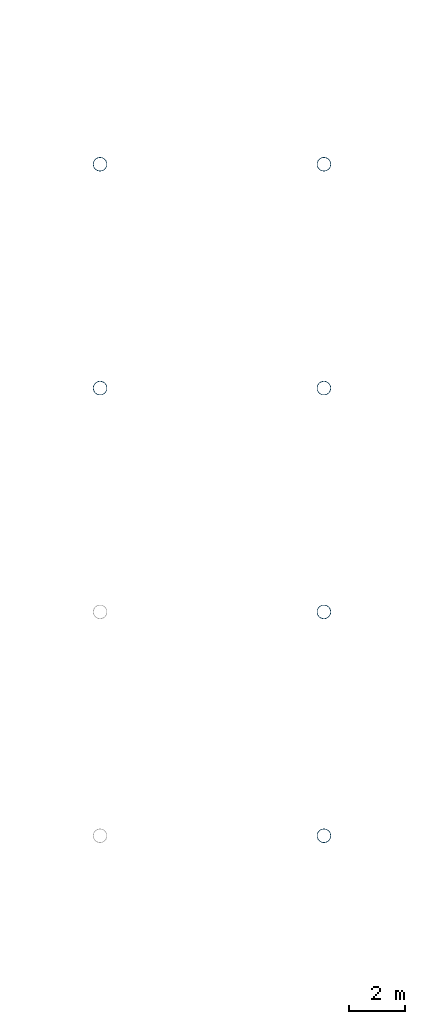
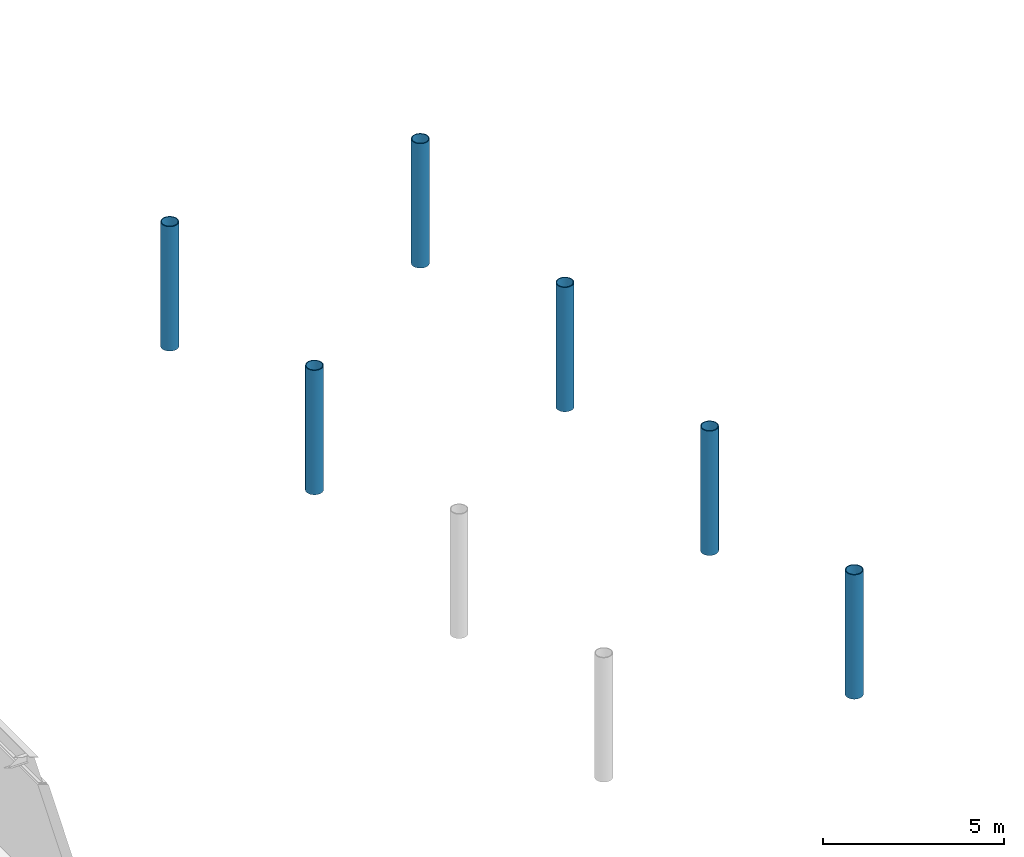
# One storey, part 2 of 41: 6 columns.
"""IFC4 building model written with IfcOpenShell, lengths in metres."""

from ifc_helpers import new_model, si_unit, direction, frame, origin, origin_2d, place, context, subcontext, project, spatial, hollow_circle, extrude, material, material_profile, profile_set, type_object, element, save


model = new_model("IFC4")

# Units and contexts
model_context = context("Model", 3, precision=1e-05, world=origin(), true_north=direction((0.0, 1.0)))
body_context = subcontext(model_context, "Body", "Model", "MODEL_VIEW")
ifc_project = project(units=[si_unit("LENGTHUNIT", "METRE"), si_unit("AREAUNIT", "SQUARE_METRE"), si_unit("VOLUMEUNIT", "CUBIC_METRE"), si_unit("PLANEANGLEUNIT", "RADIAN"), si_unit("MASSUNIT", "GRAM", prefix="KILO")], contexts=[model_context])

# Site, building, storey
site_placement = place(None, origin())
site = spatial("IfcSite", under=ifc_project, at=site_placement, CompositionType="ELEMENT")
building_placement = place(site_placement, origin())
building = spatial("IfcBuilding", under=site, at=building_placement, Name="Haebicheon Civic Stadium", CompositionType="ELEMENT")
storey_placement = place(building_placement, frame((0.0, 0.0, 27.0)))
storey = spatial("IfcBuildingStorey", under=building, at=storey_placement, Name="L07", CompositionType="ELEMENT", Elevation=27.0)

# Columns
ifc_material = material(Name="White painted steel SM490", Category="steel")
ifc_material_profile = material_profile(ifc_material, hollow_circle(Radius=0.25390625, WallThickness=0.02490234375, at=origin_2d()), Name="CHS-508.0x25.0")
ifc_profile_set = profile_set([ifc_material_profile], Name="White painted steel SM490")
column_type = type_object("IfcColumnType", Name="COL-ST-CHS508", PredefinedType="COLUMN", material=ifc_profile_set)
for number, where, z_axis, x_axis, name in (
    (1, (72.0, 48.0, 0.0), (0.0, 0.0, 1.0), (1.0, 0.0, 0.0), "Bowl/canopy support column 72/48 (L07)"),
    (2, (72.0, 56.0, 0.0), (0.0, 0.0, 1.0), (1.0, 0.0, 0.0), "Bowl/canopy support column 72/56 (L07)"),
    (3, (64.0, 64.0, 0.0), (0.0, 0.0, 1.0), (1.0, 0.0, 0.0), "Bowl/canopy support column 64/64 (L07)"),
    (4, (72.0, 64.0, 0.0), (0.0, 0.0, 1.0), (1.0, 0.0, 0.0), "Bowl/canopy support column 72/64 (L07)"),
    (5, (64.0, 72.0, 0.0), (0.0, 0.0, 1.0), (1.0, 0.0, 0.0), "Bowl/canopy support column 64/72 (L07)"),
    (6, (72.0, 72.0, 0.0), (0.0, 0.0, 1.0), (1.0, 0.0, 0.0), "Bowl/canopy support column 72/72 (L07)"),
):
    element("IfcColumn", number, at=place(storey_placement, frame(where, z_axis=z_axis, x_axis=x_axis)), inside=storey, type_object=column_type, material=ifc_profile_set, Name=name, PredefinedType="COLUMN", context=body_context, shape_type="SweptSolid", body=[
        extrude(hollow_circle(Radius=0.25390625, WallThickness=0.02490234375, at=origin_2d()), origin(), (0.0, 0.0, 1.0), 4.199951171875),
    ])

save(model, "model.ifc")
